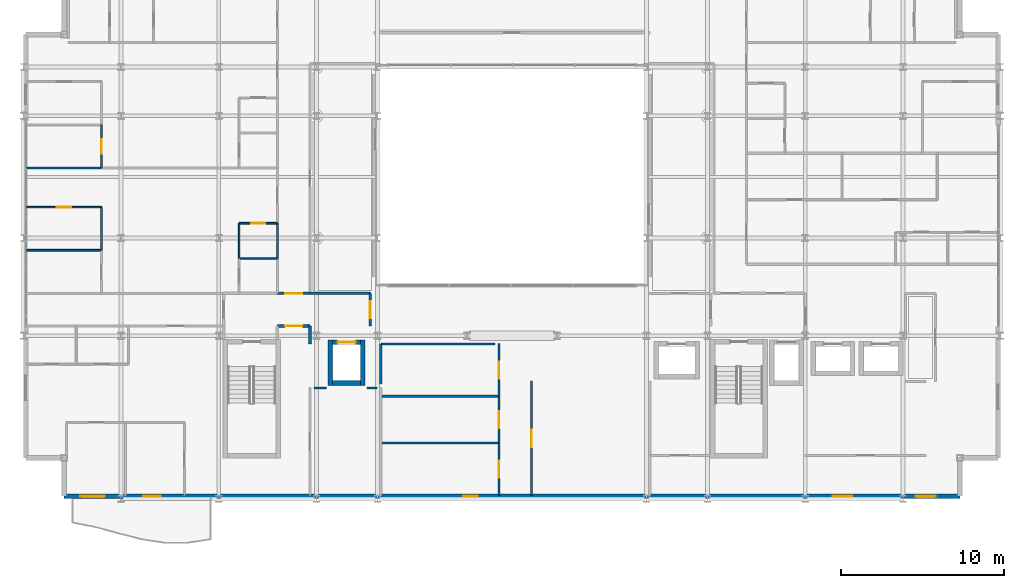
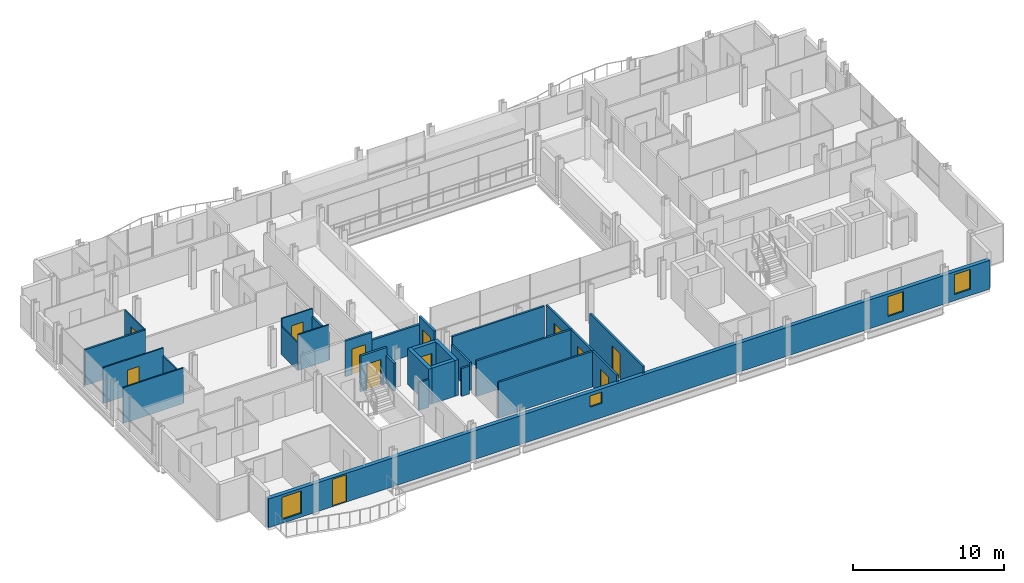
# One storey, part 34 of 41: 29 walls, 12 doors, 4 windows, 16 openings.
"""IFC4 building model written with IfcOpenShell, lengths in metres."""

from ifc_helpers import new_model, si_unit, direction, frame, frame_2d, origin, place, context, subcontext, project, spatial, rectangle, extrude, material, layer, layer_set, type_object, element, fill, save


model = new_model("IFC4")

# Units and contexts
model_context = context("Model", 3, precision=1e-05, world=origin(), true_north=direction((0.0, 1.0)))
body_context = subcontext(model_context, "Body", "Model", "MODEL_VIEW")
ifc_project = project(units=[si_unit("LENGTHUNIT", "METRE"), si_unit("AREAUNIT", "SQUARE_METRE"), si_unit("VOLUMEUNIT", "CUBIC_METRE"), si_unit("PLANEANGLEUNIT", "RADIAN"), si_unit("MASSUNIT", "GRAM", prefix="KILO")], contexts=[model_context])

# Site, building, storey
site_placement = place(None, origin())
site = spatial("IfcSite", under=ifc_project, at=site_placement, CompositionType="ELEMENT")
building_placement = place(site_placement, origin())
building = spatial("IfcBuilding", under=site, at=building_placement, Name="Brevholm Reach", CompositionType="ELEMENT")
storey_placement = place(building_placement, frame((0.0, 0.0, 138.699951171875)))
storey = spatial("IfcBuildingStorey", under=building, at=storey_placement, Name="L41", CompositionType="ELEMENT", Elevation=138.699951171875)

# Walls
ifc_material_1 = material(Name="Concrete C50/60", Category="concrete")
ifc_layer_1 = layer(ifc_material_1, 0.280029296875)
ifc_layer_set_1 = layer_set([ifc_layer_1], Name="Concrete C50/60")
wall_type_1 = type_object("IfcWallType", Name="WAL-COR-280", PredefinedType="SHEAR", material=ifc_layer_set_1)
for number, where, z_axis, x_axis, name in (
    (1, (18.85009765625, 6.9599609375, 0.0), (0.0, 0.0, 1.0), (0.0, 1.0, 0.0), "L41 Lift FFL-1 Shaft Wall W"),
    (2, (20.85009765625, 6.9599609375, 0.0), (0.0, 0.0, 1.0), (0.0, 1.0, 0.0), "L41 Lift FFL-1 Shaft Wall E"),
):
    element("IfcWall", number, at=place(storey_placement, frame(where, z_axis=z_axis, x_axis=x_axis)), inside=storey, type_object=wall_type_1, Name=name, PredefinedType="SHEAR", context=body_context, shape_type="SweptSolid", body=[
        extrude(rectangle(XDim=2.780029296875, YDim=0.280029296875, at=frame_2d((1.39013671875, 0.0))), origin(), (0.0, 0.0, 1.0), 2.880126953125),
    ])
wall_1_placement = place(storey_placement, frame((18.989990234375, 7.10009765625, 0.0), z_axis=(0.0, 0.0, 1.0), x_axis=(1.0, 0.0, 0.0)))
element("IfcWall", 3, at=wall_1_placement, inside=storey, type_object=wall_type_1, Name="L41 Lift FFL-1 Shaft Wall S", PredefinedType="SHEAR", context=body_context, shape_type="SweptSolid", body=[
    extrude(rectangle(XDim=1.719970703125, YDim=0.280029296875, at=frame_2d((0.85986328125, 0.0))), origin(), (0.0, 0.0, 1.0), 2.880126953125),
])

# Wall, opening, door
wall_2_placement = place(storey_placement, frame((18.989990234375, 9.60009765625, 0.0), z_axis=(0.0, 0.0, 1.0), x_axis=(1.0, 0.0, 0.0)))
wall_2 = element("IfcWall", 4, at=wall_2_placement, inside=storey, type_object=wall_type_1, Name="L41 Lift FFL-1 Shaft Wall N", PredefinedType="SHEAR", context=body_context, shape_type="SweptSolid", body=[
    extrude(rectangle(XDim=1.719970703125, YDim=0.280029296875, at=frame_2d((0.85986328125, 0.0))), origin(), (0.0, 0.0, 1.0), 2.880126953125),
])
opening_1_placement = place(wall_2_placement, frame((0.31005859375, 0.0, 0.0)))
opening_1 = element("IfcOpeningElement", 5, at=opening_1_placement, cuts=wall_2, Name="Opening LD-FFL-1", PredefinedType="OPENING", context=body_context, shape_type="SweptSolid", body=[
    extrude(rectangle(XDim=1.10009765625, YDim=2.06005859375, at=frame_2d((0.550048828125, 1.030029296875))), frame((0.0, 0.14990234375, 0.0), z_axis=(0.0, -1.0, 0.0), x_axis=(1.0, 0.0, 0.0)), (0.0, 0.0, 1.0), 0.300048828125),
])
ifc_material_2 = material(Name="Brushed Stainless Steel Fire-Rated Sliding Lift Door", Category="steel")
door_type_1 = type_object("IfcDoorType", Name="DOR-LFT-1100", OperationType="NOTDEFINED", PredefinedType="DOOR", material=ifc_material_2)
door_1_placement = place(opening_1_placement, origin())
door_1 = element("IfcDoor", 6, at=door_1_placement, inside=storey, type_object=door_type_1, Name="L41 Lift FFL-1 Sliding Landing Door", OperationType="SLIDING_TO_LEFT", OverallHeight=2.06005859375, OverallWidth=1.10009765625, PredefinedType="DOOR", context=body_context, shape_type="SweptSolid", body=[
    extrude(rectangle(XDim=1.10009765625, YDim=2.06005859375, at=frame_2d((0.550048828125, 1.030029296875))), frame((0.0, 0.02490234375, 0.0), z_axis=(0.0, -1.0, 0.0), x_axis=(1.0, 0.0, 0.0)), (0.0, 0.0, 1.0), 0.050048828125),
])
fill(opening_1, door_1)

# Wall, openings, door, windows
ifc_material_3 = material(Name="Concrete C40/50", Category="concrete")
ifc_layer_2 = layer(ifc_material_3, 0.300048828125)
ifc_layer_set_2 = layer_set([ifc_layer_2], Name="Concrete C40/50")
wall_type_2 = type_object("IfcWallType", Name="WAL-EXT-300", PredefinedType="STANDARD", material=ifc_layer_set_2)
wall_3_placement = place(storey_placement, frame((2.5, 0.14990234375, 0.0), z_axis=(0.0, 0.0, 1.0), x_axis=(1.0, 0.0, 0.0)))
wall_3 = element("IfcWall", 7, at=wall_3_placement, inside=storey, type_object=wall_type_2, Name="L41 Facade Wall WAL-L41-S", PredefinedType="STANDARD", context=body_context, shape_type="SweptSolid", body=[
    extrude(rectangle(XDim=55.0, YDim=0.300048828125, at=frame_2d((27.5, 0.0))), origin(), (0.0, 0.0, 1.0), 2.322021484375),
])
opening_2_placement = place(wall_3_placement, frame((4.85009765625, 0.0, 0.0)))
opening_2 = element("IfcOpeningElement", 8, at=opening_2_placement, cuts=wall_3, Name="Opening BD-01", PredefinedType="OPENING", context=body_context, shape_type="SweptSolid", body=[
    extrude(rectangle(XDim=1.10009765625, YDim=2.199951171875, at=frame_2d((0.550048828125, 1.10009765625))), frame((0.0, 0.159912109375, 0.0), z_axis=(0.0, -1.0, 0.0), x_axis=(1.0, 0.0, 0.0)), (0.0, 0.0, 1.0), 0.320068359375),
])
opening_3_placement = place(wall_3_placement, frame((1.0, 0.0, 0.302001953125)))
opening_3 = element("IfcOpeningElement", 9, at=opening_3_placement, cuts=wall_3, Name="Opening WN-05", PredefinedType="OPENING", context=body_context, shape_type="SweptSolid", body=[
    extrude(rectangle(XDim=1.5, YDim=1.800048828125, at=frame_2d((0.75, 0.89990234375))), frame((0.0, 0.159912109375, 0.0), z_axis=(0.0, -1.0, 0.0), x_axis=(1.0, 0.0, 0.0)), (0.0, 0.0, 1.0), 0.320068359375),
])
opening_4_placement = place(wall_3_placement, frame((24.5, 0.0, 1.14990234375)))
opening_4 = element("IfcOpeningElement", 10, at=opening_4_placement, cuts=wall_3, Name="Opening WN-09", PredefinedType="OPENING", context=body_context, shape_type="SweptSolid", body=[
    extrude(rectangle(XDim=0.89990234375, YDim=0.89990234375, at=frame_2d((0.449951171875, 0.449951171875))), frame((0.0, 0.159912109375, 0.0), z_axis=(0.0, -1.0, 0.0), x_axis=(1.0, 0.0, 0.0)), (0.0, 0.0, 1.0), 0.320068359375),
])
opening_5_placement = place(wall_3_placement, frame((47.199951171875, 0.0, 0.501953125)))
opening_5 = element("IfcOpeningElement", 11, at=opening_5_placement, cuts=wall_3, Name="Opening WN-08", PredefinedType="OPENING", context=body_context, shape_type="SweptSolid", body=[
    extrude(rectangle(XDim=1.199951171875, YDim=1.60009765625, at=frame_2d((0.60009765625, 0.800048828125))), frame((0.0, 0.159912109375, 0.0), z_axis=(0.0, -1.0, 0.0), x_axis=(1.0, 0.0, 0.0)), (0.0, 0.0, 1.0), 0.320068359375),
])
opening_6_placement = place(wall_3_placement, frame((52.300048828125, 0.0, 0.501953125)))
opening_6 = element("IfcOpeningElement", 12, at=opening_6_placement, cuts=wall_3, Name="Opening WN-08", PredefinedType="OPENING", context=body_context, shape_type="SweptSolid", body=[
    extrude(rectangle(XDim=1.199951171875, YDim=1.60009765625, at=frame_2d((0.60009765625, 0.800048828125))), frame((0.0, 0.159912109375, 0.0), z_axis=(0.0, -1.0, 0.0), x_axis=(1.0, 0.0, 0.0)), (0.0, 0.0, 1.0), 0.320068359375),
])
ifc_material_4 = material(Name="Dark Anodised Aluminium and Triple-Glazed Glass", Category="aluminium")
door_type_2 = type_object("IfcDoorType", Name="DOR-BALC-1100", OperationType="NOTDEFINED", PredefinedType="DOOR", material=ifc_material_4)
door_2_placement = place(opening_2_placement, origin())
door_2 = element("IfcDoor", 13, at=door_2_placement, inside=storey, type_object=door_type_2, Name="L41 Exterior Door DOR-L41-BL-SW", OperationType="SINGLE_SWING_LEFT", OverallHeight=2.199951171875, OverallWidth=1.10009765625, PredefinedType="DOOR", context=body_context, shape_type="SweptSolid", body=[
    extrude(rectangle(XDim=1.10009765625, YDim=2.199951171875, at=frame_2d((0.550048828125, 1.10009765625))), frame((0.0, 0.02490234375, 0.0), z_axis=(0.0, -1.0, 0.0), x_axis=(1.0, 0.0, 0.0)), (0.0, 0.0, 1.0), 0.050048828125),
])
fill(opening_2, door_2)
ifc_material_5 = material(Name="Dark Anodised Aluminium and Solar-Control IGU Glass", Category="aluminium")
window_type_1 = type_object("IfcWindowType", Name="WIN-POR-0900", PartitioningType="SINGLE_PANEL", PredefinedType="WINDOW", material=ifc_material_5)
window_1_placement = place(opening_4_placement, origin())
window_1 = element("IfcWindow", 14, at=window_1_placement, inside=storey, type_object=window_type_1, Name="L41 Window WIN-L41-S-POR", OverallHeight=0.89990234375, OverallWidth=0.89990234375, PartitioningType="SINGLE_PANEL", PredefinedType="WINDOW", context=body_context, shape_type="SweptSolid", body=[
    extrude(rectangle(XDim=0.89990234375, YDim=0.89990234375, at=frame_2d((0.449951171875, 0.449951171875))), frame((0.0, 0.030029296875, 0.0), z_axis=(0.0, -1.0, 0.0), x_axis=(1.0, 0.0, 0.0)), (0.0, 0.0, 1.0), 0.06005859375),
])
fill(opening_4, window_1)
ifc_material_6 = material(Name="Dark Anodised Aluminium and Solar-Control IGU Glass", Category="aluminium")
window_type_2 = type_object("IfcWindowType", Name="WIN-RES-1200", PartitioningType="SINGLE_PANEL", PredefinedType="WINDOW", material=ifc_material_6)
window_2_placement = place(opening_5_placement, origin())
window_2 = element("IfcWindow", 15, at=window_2_placement, inside=storey, type_object=window_type_2, Name="L41 Window WIN-L41-S-E1", OverallHeight=1.60009765625, OverallWidth=1.199951171875, PartitioningType="SINGLE_PANEL", PredefinedType="WINDOW", context=body_context, shape_type="SweptSolid", body=[
    extrude(rectangle(XDim=1.199951171875, YDim=1.60009765625, at=frame_2d((0.60009765625, 0.800048828125))), frame((0.0, 0.030029296875, 0.0), z_axis=(0.0, -1.0, 0.0), x_axis=(1.0, 0.0, 0.0)), (0.0, 0.0, 1.0), 0.06005859375),
])
fill(opening_5, window_2)
window_3_placement = place(opening_6_placement, origin())
window_3 = element("IfcWindow", 16, at=window_3_placement, inside=storey, type_object=window_type_2, Name="L41 Window WIN-L41-S-E2", OverallHeight=1.60009765625, OverallWidth=1.199951171875, PartitioningType="SINGLE_PANEL", PredefinedType="WINDOW", context=body_context, shape_type="SweptSolid", body=[
    extrude(rectangle(XDim=1.199951171875, YDim=1.60009765625, at=frame_2d((0.60009765625, 0.800048828125))), frame((0.0, 0.030029296875, 0.0), z_axis=(0.0, -1.0, 0.0), x_axis=(1.0, 0.0, 0.0)), (0.0, 0.0, 1.0), 0.06005859375),
])
fill(opening_6, window_3)
ifc_material_7 = material(Name="Dark Anodised Aluminium and Solar-Control IGU Glass", Category="aluminium")
window_type_3 = type_object("IfcWindowType", Name="WIN-RES-1500", PartitioningType="SINGLE_PANEL", PredefinedType="WINDOW", material=ifc_material_7)
window_4_placement = place(opening_3_placement, origin())
window_4 = element("IfcWindow", 17, at=window_4_placement, inside=storey, type_object=window_type_3, Name="L41 Window WIN-L41-S-W1", OverallHeight=1.800048828125, OverallWidth=1.5, PartitioningType="SINGLE_PANEL", PredefinedType="WINDOW", context=body_context, shape_type="SweptSolid", body=[
    extrude(rectangle(XDim=1.5, YDim=1.800048828125, at=frame_2d((0.75, 0.89990234375))), frame((0.0, 0.030029296875, 0.0), z_axis=(0.0, -1.0, 0.0), x_axis=(1.0, 0.0, 0.0)), (0.0, 0.0, 1.0), 0.06005859375),
])
fill(opening_3, window_4)

# Wall
ifc_material_8 = material(Name="Moisture-Resistant Acoustic Gypsum Stud Partition 100 mm", Category="gypsum")
ifc_layer_3 = layer(ifc_material_8, 0.10009765625)
ifc_layer_set_3 = layer_set([ifc_layer_3], Name="Moisture-Resistant Acoustic Gypsum Stud Partition 100 mm")
wall_type_3 = type_object("IfcWallType", Name="WAL-PRT-100", PredefinedType="PARTITIONING", material=ifc_layer_set_3)
wall_4_placement = place(storey_placement, frame((13.25, 14.75, 0.0), z_axis=(0.0, 0.0, 1.0), x_axis=(1.0, 0.0, 0.0)))
element("IfcWall", 18, at=wall_4_placement, inside=storey, type_object=wall_type_3, Name="L41 Internal Partition 069", PredefinedType="PARTITIONING", context=body_context, shape_type="SweptSolid", body=[
    extrude(rectangle(XDim=2.345947265625, YDim=0.10009765625, at=frame_2d((1.1728515625, 0.0))), origin(), (0.0, 0.0, 1.0), 2.880126953125),
])

# Wall, opening, door
wall_5_placement = place(storey_placement, frame((13.25, 16.906005859375, 0.0), z_axis=(0.0, 0.0, 1.0), x_axis=(1.0, 0.0, 0.0)))
wall_5 = element("IfcWall", 19, at=wall_5_placement, inside=storey, type_object=wall_type_3, Name="L41 Internal Partition 071", PredefinedType="PARTITIONING", context=body_context, shape_type="SweptSolid", body=[
    extrude(rectangle(XDim=2.345947265625, YDim=0.10009765625, at=frame_2d((1.1728515625, 0.0))), origin(), (0.0, 0.0, 1.0), 2.880126953125),
])
opening_7_placement = place(wall_5_placement, frame((0.73291015625, 0.0, 0.0)))
opening_7 = element("IfcOpeningElement", 20, at=opening_7_placement, cuts=wall_5, Name="Opening ID-01", PredefinedType="OPENING", context=body_context, shape_type="SweptSolid", body=[
    extrude(rectangle(XDim=0.8798828125, YDim=2.0400390625, at=frame_2d((0.43994140625, 1.02001953125))), frame((0.0, 0.06005859375, 0.0), z_axis=(0.0, -1.0, 0.0), x_axis=(1.0, 0.0, 0.0)), (0.0, 0.0, 1.0), 0.1201171875),
])
ifc_material_9 = material(Name="Lacquered Ash Solid-Core Acoustic Internal Door", Category="timber")
door_type_3 = type_object("IfcDoorType", Name="DOR-INT-880", OperationType="NOTDEFINED", PredefinedType="DOOR", material=ifc_material_9)
door_3_placement = place(opening_7_placement, origin())
door_3 = element("IfcDoor", 21, at=door_3_placement, inside=storey, type_object=door_type_3, Name="L41 Internal Door 032", OperationType="SINGLE_SWING_LEFT", OverallHeight=2.0400390625, OverallWidth=0.8798828125, PredefinedType="DOOR", context=body_context, shape_type="SweptSolid", body=[
    extrude(rectangle(XDim=0.8798828125, YDim=2.0400390625, at=frame_2d((0.43994140625, 1.02001953125))), frame((0.0, 0.02490234375, 0.0), z_axis=(0.0, -1.0, 0.0), x_axis=(1.0, 0.0, 0.0)), (0.0, 0.0, 1.0), 0.050048828125),
])
fill(opening_7, door_3)

# Walls
wall_6_placement = place(storey_placement, frame((13.25, 14.75390625, 0.0), z_axis=(0.0, 0.0, 1.0), x_axis=(0.0, 1.0, 0.0)))
element("IfcWall", 22, at=wall_6_placement, inside=storey, type_object=wall_type_3, Name="L41 Internal Partition 072", PredefinedType="PARTITIONING", context=body_context, shape_type="SweptSolid", body=[
    extrude(rectangle(XDim=2.152099609375, YDim=0.10009765625, at=frame_2d((1.076171875, 0.0))), origin(), (0.0, 0.0, 1.0), 2.242919921875),
])
wall_7_placement = place(storey_placement, frame((0.199951171875, 15.25, 0.0), z_axis=(0.0, 0.0, 1.0), x_axis=(1.0, 0.0, 0.0)))
element("IfcWall", 23, at=wall_7_placement, inside=storey, type_object=wall_type_3, Name="L41 Internal Partition 073", PredefinedType="PARTITIONING", context=body_context, shape_type="SweptSolid", body=[
    extrude(rectangle(XDim=4.60009765625, YDim=0.10009765625, at=frame_2d((2.300048828125, 0.0))), origin(), (0.0, 0.0, 1.0), 2.880126953125),
])
wall_8_placement = place(storey_placement, frame((4.800048828125, 15.25390625, 0.0), z_axis=(0.0, 0.0, 1.0), x_axis=(0.0, 1.0, 0.0)))
element("IfcWall", 24, at=wall_8_placement, inside=storey, type_object=wall_type_3, Name="L41 Internal Partition 075", PredefinedType="PARTITIONING", context=body_context, shape_type="SweptSolid", body=[
    extrude(rectangle(XDim=2.64599609375, YDim=0.10009765625, at=frame_2d((1.322998046875, 0.0))), origin(), (0.0, 0.0, 1.0), 2.242919921875),
])

# Wall, opening, door
wall_9_placement = place(storey_placement, frame((0.199951171875, 17.89990234375, 0.0), z_axis=(0.0, 0.0, 1.0), x_axis=(1.0, 0.0, 0.0)))
wall_9 = element("IfcWall", 25, at=wall_9_placement, inside=storey, type_object=wall_type_3, Name="L41 Internal Partition 076", PredefinedType="PARTITIONING", context=body_context, shape_type="SweptSolid", body=[
    extrude(rectangle(XDim=4.60009765625, YDim=0.10009765625, at=frame_2d((2.300048828125, 0.0))), origin(), (0.0, 0.0, 1.0), 2.880126953125),
])
opening_8_placement = place(wall_9_placement, frame((1.860107421875, 0.0, 0.0)))
opening_8 = element("IfcOpeningElement", 26, at=opening_8_placement, cuts=wall_9, Name="Opening ID-01", PredefinedType="OPENING", context=body_context, shape_type="SweptSolid", body=[
    extrude(rectangle(XDim=0.8798828125, YDim=2.0400390625, at=frame_2d((0.43994140625, 1.02001953125))), frame((0.0, 0.06005859375, 0.0), z_axis=(0.0, -1.0, 0.0), x_axis=(1.0, 0.0, 0.0)), (0.0, 0.0, 1.0), 0.1201171875),
])
door_4_placement = place(opening_8_placement, origin())
door_4 = element("IfcDoor", 27, at=door_4_placement, inside=storey, type_object=door_type_3, Name="L41 Internal Door 034", OperationType="SINGLE_SWING_LEFT", OverallHeight=2.0400390625, OverallWidth=0.8798828125, PredefinedType="DOOR", context=body_context, shape_type="SweptSolid", body=[
    extrude(rectangle(XDim=0.8798828125, YDim=2.0400390625, at=frame_2d((0.43994140625, 1.02001953125))), frame((0.0, 0.02490234375, 0.0), z_axis=(0.0, -1.0, 0.0), x_axis=(1.0, 0.0, 0.0)), (0.0, 0.0, 1.0), 0.050048828125),
])
fill(opening_8, door_4)

wall_10_placement = place(storey_placement, frame((4.800048828125, 20.303955078125, 0.0), z_axis=(0.0, 0.0, 1.0), x_axis=(0.0, 1.0, 0.0)))
wall_10 = element("IfcWall", 28, at=wall_10_placement, inside=storey, type_object=wall_type_3, Name="L41 Internal Partition 085", PredefinedType="PARTITIONING", context=body_context, shape_type="SweptSolid", body=[
    extrude(rectangle(XDim=2.64599609375, YDim=0.10009765625, at=frame_2d((1.322998046875, 0.0))), origin(), (0.0, 0.0, 1.0), 2.880126953125),
])
opening_9_placement = place(wall_10_placement, frame((0.883056640625, 0.0, 0.0)))
opening_9 = element("IfcOpeningElement", 29, at=opening_9_placement, cuts=wall_10, Name="Opening ID-01", PredefinedType="OPENING", context=body_context, shape_type="SweptSolid", body=[
    extrude(rectangle(XDim=0.8798828125, YDim=2.0400390625, at=frame_2d((0.43994140625, 1.02001953125))), frame((0.0, 0.06005859375, 0.0), z_axis=(0.0, -1.0, 0.0), x_axis=(1.0, 0.0, 0.0)), (0.0, 0.0, 1.0), 0.1201171875),
])
door_5_placement = place(opening_9_placement, origin())
door_5 = element("IfcDoor", 30, at=door_5_placement, inside=storey, type_object=door_type_3, Name="L41 Internal Door 037", OperationType="SINGLE_SWING_RIGHT", OverallHeight=2.0400390625, OverallWidth=0.8798828125, PredefinedType="DOOR", context=body_context, shape_type="SweptSolid", body=[
    extrude(rectangle(XDim=0.8798828125, YDim=2.0400390625, at=frame_2d((0.43994140625, 1.02001953125))), frame((0.0, 0.02490234375, 0.0), z_axis=(0.0, -1.0, 0.0), x_axis=(1.0, 0.0, 0.0)), (0.0, 0.0, 1.0), 0.050048828125),
])
fill(opening_9, door_5)

ifc_material_10 = material(Name="Twin-Stud Acoustic Fire-Rated Gypsum Partition 140 mm", Category="gypsum")
ifc_layer_4 = layer(ifc_material_10, 0.139892578125)
ifc_layer_set_4 = layer_set([ifc_layer_4], Name="Twin-Stud Acoustic Fire-Rated Gypsum Partition 140 mm")
wall_type_4 = type_object("IfcWallType", Name="WAL-PRT-140", PredefinedType="PARTITIONING", material=ifc_layer_set_4)
wall_11_placement = place(storey_placement, frame((29.199951171875, 0.179931640625, 0.0), z_axis=(0.0, 0.0, 1.0), x_axis=(0.0, 1.0, 0.0)))
wall_11 = element("IfcWall", 31, at=wall_11_placement, inside=storey, type_object=wall_type_4, Name="L41 Internal Partition 001", PredefinedType="PARTITIONING", context=body_context, shape_type="SweptSolid", body=[
    extrude(rectangle(XDim=3.247314453125, YDim=0.139892578125, at=frame_2d((1.62353515625, 0.0))), origin(), (0.0, 0.0, 1.0), 2.880126953125),
])
opening_10_placement = place(wall_11_placement, frame((1.0986328125, 0.0, 0.0)))
opening_10 = element("IfcOpeningElement", 32, at=opening_10_placement, cuts=wall_11, Name="Opening FD-01", PredefinedType="OPENING", context=body_context, shape_type="SweptSolid", body=[
    extrude(rectangle(XDim=1.050048828125, YDim=2.06005859375, at=frame_2d((0.52490234375, 1.030029296875))), frame((0.0, 0.079833984375, 0.0), z_axis=(0.0, -1.0, 0.0), x_axis=(1.0, 0.0, 0.0)), (0.0, 0.0, 1.0), 0.159912109375),
])
ifc_material_11 = material(Name="Hardwood-Lipped Steel-Core Fire and Smoke Door", Category="steel")
door_type_4 = type_object("IfcDoorType", Name="DOR-INT-FD60S", OperationType="NOTDEFINED", PredefinedType="DOOR", material=ifc_material_11)
door_6_placement = place(opening_10_placement, origin())
door_6 = element("IfcDoor", 33, at=door_6_placement, inside=storey, type_object=door_type_4, Name="L41 Internal Door 001", OperationType="SINGLE_SWING_RIGHT", OverallHeight=2.06005859375, OverallWidth=1.050048828125, PredefinedType="DOOR", context=body_context, shape_type="SweptSolid", body=[
    extrude(rectangle(XDim=1.050048828125, YDim=2.06005859375, at=frame_2d((0.52490234375, 1.030029296875))), frame((0.0, 0.02490234375, 0.0), z_axis=(0.0, -1.0, 0.0), x_axis=(1.0, 0.0, 0.0)), (0.0, 0.0, 1.0), 0.050048828125),
])
fill(opening_10, door_6)

wall_12_placement = place(storey_placement, frame((29.199951171875, 3.40869140625, 0.0), z_axis=(0.0, 0.0, 1.0), x_axis=(0.0, 1.0, 0.0)))
wall_12 = element("IfcWall", 34, at=wall_12_placement, inside=storey, type_object=wall_type_4, Name="L41 Internal Partition 002", PredefinedType="PARTITIONING", context=body_context, shape_type="SweptSolid", body=[
    extrude(rectangle(XDim=2.885498046875, YDim=0.139892578125, at=frame_2d((1.44287109375, 0.0))), origin(), (0.0, 0.0, 1.0), 2.880126953125),
])
opening_11_placement = place(wall_12_placement, frame((0.917724609375, 0.0, 0.0)))
opening_11 = element("IfcOpeningElement", 35, at=opening_11_placement, cuts=wall_12, Name="Opening FD-01", PredefinedType="OPENING", context=body_context, shape_type="SweptSolid", body=[
    extrude(rectangle(XDim=1.050048828125, YDim=2.06005859375, at=frame_2d((0.52490234375, 1.030029296875))), frame((0.0, 0.079833984375, 0.0), z_axis=(0.0, -1.0, 0.0), x_axis=(1.0, 0.0, 0.0)), (0.0, 0.0, 1.0), 0.159912109375),
])
door_7_placement = place(opening_11_placement, origin())
door_7 = element("IfcDoor", 36, at=door_7_placement, inside=storey, type_object=door_type_4, Name="L41 Internal Door 002", OperationType="SINGLE_SWING_LEFT", OverallHeight=2.06005859375, OverallWidth=1.050048828125, PredefinedType="DOOR", context=body_context, shape_type="SweptSolid", body=[
    extrude(rectangle(XDim=1.050048828125, YDim=2.06005859375, at=frame_2d((0.52490234375, 1.030029296875))), frame((0.0, 0.02490234375, 0.0), z_axis=(0.0, -1.0, 0.0), x_axis=(1.0, 0.0, 0.0)), (0.0, 0.0, 1.0), 0.050048828125),
])
fill(opening_11, door_7)

wall_13_placement = place(storey_placement, frame((29.199951171875, 6.275634765625, 0.0), z_axis=(0.0, 0.0, 1.0), x_axis=(0.0, 1.0, 0.0)))
wall_13 = element("IfcWall", 37, at=wall_13_placement, inside=storey, type_object=wall_type_4, Name="L41 Internal Partition 003", PredefinedType="PARTITIONING", context=body_context, shape_type="SweptSolid", body=[
    extrude(rectangle(XDim=3.235595703125, YDim=0.139892578125, at=frame_2d((1.61767578125, 0.0))), origin(), (0.0, 0.0, 1.0), 2.880126953125),
])
opening_12_placement = place(wall_13_placement, frame((1.0927734375, 0.0, 0.0)))
opening_12 = element("IfcOpeningElement", 38, at=opening_12_placement, cuts=wall_13, Name="Opening FD-01", PredefinedType="OPENING", context=body_context, shape_type="SweptSolid", body=[
    extrude(rectangle(XDim=1.050048828125, YDim=2.06005859375, at=frame_2d((0.52490234375, 1.030029296875))), frame((0.0, 0.079833984375, 0.0), z_axis=(0.0, -1.0, 0.0), x_axis=(1.0, 0.0, 0.0)), (0.0, 0.0, 1.0), 0.159912109375),
])
door_8_placement = place(opening_12_placement, origin())
door_8 = element("IfcDoor", 39, at=door_8_placement, inside=storey, type_object=door_type_4, Name="L41 Internal Door 003", OperationType="SINGLE_SWING_RIGHT", OverallHeight=2.06005859375, OverallWidth=1.050048828125, PredefinedType="DOOR", context=body_context, shape_type="SweptSolid", body=[
    extrude(rectangle(XDim=1.050048828125, YDim=2.06005859375, at=frame_2d((0.52490234375, 1.030029296875))), frame((0.0, 0.02490234375, 0.0), z_axis=(0.0, -1.0, 0.0), x_axis=(1.0, 0.0, 0.0)), (0.0, 0.0, 1.0), 0.050048828125),
])
fill(opening_12, door_8)

wall_14_placement = place(storey_placement, frame((31.199951171875, 0.179931640625, 0.0), z_axis=(0.0, 0.0, 1.0), x_axis=(0.0, 1.0, 0.0)))
wall_14 = element("IfcWall", 40, at=wall_14_placement, inside=storey, type_object=wall_type_4, Name="L41 Internal Partition 004", PredefinedType="PARTITIONING", context=body_context, shape_type="SweptSolid", body=[
    extrude(rectangle(XDim=7.03125, YDim=0.139892578125, at=frame_2d((3.515625, 0.0))), origin(), (0.0, 0.0, 1.0), 2.880126953125),
])
opening_13_placement = place(wall_14_placement, frame((2.99072265625, 0.0, 0.0)))
opening_13 = element("IfcOpeningElement", 41, at=opening_13_placement, cuts=wall_14, Name="Opening FD-01", PredefinedType="OPENING", context=body_context, shape_type="SweptSolid", body=[
    extrude(rectangle(XDim=1.050048828125, YDim=2.06005859375, at=frame_2d((0.52490234375, 1.030029296875))), frame((0.0, 0.079833984375, 0.0), z_axis=(0.0, -1.0, 0.0), x_axis=(1.0, 0.0, 0.0)), (0.0, 0.0, 1.0), 0.159912109375),
])
door_9_placement = place(opening_13_placement, origin())
door_9 = element("IfcDoor", 42, at=door_9_placement, inside=storey, type_object=door_type_4, Name="L41 Internal Door 004", OperationType="SINGLE_SWING_LEFT", OverallHeight=2.06005859375, OverallWidth=1.050048828125, PredefinedType="DOOR", context=body_context, shape_type="SweptSolid", body=[
    extrude(rectangle(XDim=1.050048828125, YDim=2.06005859375, at=frame_2d((0.52490234375, 1.030029296875))), frame((0.0, 0.02490234375, 0.0), z_axis=(0.0, -1.0, 0.0), x_axis=(1.0, 0.0, 0.0)), (0.0, 0.0, 1.0), 0.050048828125),
])
fill(opening_13, door_9)

# Walls
for number, where, z_axis, x_axis, name in (
    (43, (21.949951171875, 3.416015625, 0.0), (0.0, 0.0, 1.0), (1.0, 0.0, 0.0), "L41 Internal Partition 005"),
    (44, (21.949951171875, 6.282958984375, 0.0), (0.0, 0.0, 1.0), (1.0, 0.0, 0.0), "L41 Internal Partition 007"),
):
    element("IfcWall", number, at=place(storey_placement, frame(where, z_axis=z_axis, x_axis=x_axis)), inside=storey, type_object=wall_type_4, Name=name, PredefinedType="PARTITIONING", context=body_context, shape_type="SweptSolid", body=[
        extrude(rectangle(XDim=7.24609375, YDim=0.139892578125, at=frame_2d((3.623046875, 0.0))), origin(), (0.0, 0.0, 1.0), 2.880126953125),
    ])
wall_15_placement = place(storey_placement, frame((15.60009765625, 14.74267578125, 0.0), z_axis=(0.0, 0.0, 1.0), x_axis=(0.0, 1.0, 0.0)))
element("IfcWall", 45, at=wall_15_placement, inside=storey, type_object=wall_type_4, Name="L41 Internal Partition 035", PredefinedType="PARTITIONING", context=body_context, shape_type="SweptSolid", body=[
    extrude(rectangle(XDim=2.174560546875, YDim=0.139892578125, at=frame_2d((1.08740234375, 0.0))), origin(), (0.0, 0.0, 1.0), 2.242919921875),
])
wall_16_placement = place(storey_placement, frame((0.199951171875, 20.300048828125, 0.0), z_axis=(0.0, 0.0, 1.0), x_axis=(1.0, 0.0, 0.0)))
element("IfcWall", 46, at=wall_16_placement, inside=storey, type_object=wall_type_4, Name="L41 Internal Partition 078", PredefinedType="PARTITIONING", context=body_context, shape_type="SweptSolid", body=[
    extrude(rectangle(XDim=4.611328125, YDim=0.139892578125, at=frame_2d((2.3056640625, 0.0))), origin(), (0.0, 0.0, 1.0), 2.880126953125),
])
wall_17_placement = place(storey_placement, frame((21.949951171875, 9.5, 0.0), z_axis=(0.0, 0.0, 1.0), x_axis=(1.0, 0.0, 0.0)))
element("IfcWall", 47, at=wall_17_placement, inside=storey, type_object=wall_type_4, Name="L41 Internal Partition 117", PredefinedType="PARTITIONING", context=body_context, shape_type="SweptSolid", body=[
    extrude(rectangle(XDim=7.010009765625, YDim=0.139892578125, at=frame_2d((3.5048828125, 0.0))), origin(), (0.0, 0.0, 1.0), 2.880126953125),
])
wall_18_placement = place(storey_placement, frame((21.949951171875, 7.05126953125, 0.0), z_axis=(0.0, 0.0, 1.0), x_axis=(0.0, 1.0, 0.0)))
element("IfcWall", 48, at=wall_18_placement, inside=storey, type_object=wall_type_4, Name="L41 Internal Partition 118", PredefinedType="PARTITIONING", context=body_context, shape_type="SweptSolid", body=[
    extrude(rectangle(XDim=2.44873046875, YDim=0.139892578125, at=frame_2d((1.224365234375, 0.0))), origin(), (0.0, 0.0, 1.0), 2.242919921875),
])
wall_19_placement = place(storey_placement, frame((21.101806640625, 6.800048828125, 0.0), z_axis=(0.0, 0.0, 1.0), x_axis=(1.0, 0.0, 0.0)))
element("IfcWall", 49, at=wall_19_placement, inside=storey, type_object=wall_type_4, Name="L41 Internal Partition 119", PredefinedType="PARTITIONING", context=body_context, shape_type="SweptSolid", body=[
    extrude(rectangle(XDim=0.608154296875, YDim=0.139892578125, at=frame_2d((0.30419921875, 0.0))), origin(), (0.0, 0.0, 1.0), 2.242919921875),
])
wall_20_placement = place(storey_placement, frame((17.840087890625, 6.800048828125, 0.0), z_axis=(0.0, 0.0, 1.0), x_axis=(1.0, 0.0, 0.0)))
element("IfcWall", 50, at=wall_20_placement, inside=storey, type_object=wall_type_4, Name="L41 Internal Partition 120", PredefinedType="PARTITIONING", context=body_context, shape_type="SweptSolid", body=[
    extrude(rectangle(XDim=0.758056640625, YDim=0.139892578125, at=frame_2d((0.37890625, 0.0))), origin(), (0.0, 0.0, 1.0), 2.242919921875),
])
ifc_material_12 = material(Name="Twin-Frame Fire-Rated Gypsum Board and Mineral Wool 160 mm", Category="gypsum")
ifc_layer_5 = layer(ifc_material_12, 0.159912109375)
ifc_layer_set_5 = layer_set([ifc_layer_5], Name="Twin-Frame Fire-Rated Gypsum Board and Mineral Wool 160 mm")
wall_type_5 = type_object("IfcWallType", Name="WAL-PRT-160", PredefinedType="PARTITIONING", material=ifc_layer_set_5)
wall_21_placement = place(storey_placement, frame((17.60009765625, 9.48876953125, 0.0), z_axis=(0.0, 0.0, 1.0), x_axis=(0.0, 1.0, 0.0)))
element("IfcWall", 51, at=wall_21_placement, inside=storey, type_object=wall_type_5, Name="L41 Internal Partition 017", PredefinedType="PARTITIONING", context=body_context, shape_type="SweptSolid", body=[
    extrude(rectangle(XDim=1.111328125, YDim=0.159912109375, at=frame_2d((0.5556640625, 0.0))), origin(), (0.0, 0.0, 1.0), 2.242919921875),
])

# Wall, opening, door
wall_22_placement = place(storey_placement, frame((15.60009765625, 10.60009765625, 0.0), z_axis=(0.0, 0.0, 1.0), x_axis=(1.0, 0.0, 0.0)))
wall_22 = element("IfcWall", 52, at=wall_22_placement, inside=storey, type_object=wall_type_5, Name="L41 Internal Partition 018", PredefinedType="PARTITIONING", context=body_context, shape_type="SweptSolid", body=[
    extrude(rectangle(XDim=2.0, YDim=0.159912109375, at=frame_2d((1.0, 0.0))), origin(), (0.0, 0.0, 1.0), 2.880126953125),
])
opening_14_placement = place(wall_22_placement, frame((0.47509765625, 0.0, 0.0)))
opening_14 = element("IfcOpeningElement", 53, at=opening_14_placement, cuts=wall_22, Name="Opening FD-01", PredefinedType="OPENING", context=body_context, shape_type="SweptSolid", body=[
    extrude(rectangle(XDim=1.050048828125, YDim=2.06005859375, at=frame_2d((0.52490234375, 1.030029296875))), frame((0.0, 0.08984375, 0.0), z_axis=(0.0, -1.0, 0.0), x_axis=(1.0, 0.0, 0.0)), (0.0, 0.0, 1.0), 0.179931640625),
])
door_10_placement = place(opening_14_placement, origin())
door_10 = element("IfcDoor", 54, at=door_10_placement, inside=storey, type_object=door_type_4, Name="L41 Internal Door 009", OperationType="SINGLE_SWING_RIGHT", OverallHeight=2.06005859375, OverallWidth=1.050048828125, PredefinedType="DOOR", context=body_context, shape_type="SweptSolid", body=[
    extrude(rectangle(XDim=1.050048828125, YDim=2.06005859375, at=frame_2d((0.52490234375, 1.030029296875))), frame((0.0, 0.02490234375, 0.0), z_axis=(0.0, -1.0, 0.0), x_axis=(1.0, 0.0, 0.0)), (0.0, 0.0, 1.0), 0.050048828125),
])
fill(opening_14, door_10)

wall_23_placement = place(storey_placement, frame((21.300048828125, 10.588623046875, 0.0), z_axis=(0.0, 0.0, 1.0), x_axis=(0.0, 1.0, 0.0)))
wall_23 = element("IfcWall", 55, at=wall_23_placement, inside=storey, type_object=wall_type_5, Name="L41 Internal Partition 020", PredefinedType="PARTITIONING", context=body_context, shape_type="SweptSolid", body=[
    extrude(rectangle(XDim=2.011474609375, YDim=0.159912109375, at=frame_2d((1.005859375, 0.0))), origin(), (0.0, 0.0, 1.0), 2.880126953125),
])
opening_15_placement = place(wall_23_placement, frame((0.480712890625, 0.0, 0.0)))
opening_15 = element("IfcOpeningElement", 56, at=opening_15_placement, cuts=wall_23, Name="Opening FD-01", PredefinedType="OPENING", context=body_context, shape_type="SweptSolid", body=[
    extrude(rectangle(XDim=1.050048828125, YDim=2.06005859375, at=frame_2d((0.52490234375, 1.030029296875))), frame((0.0, 0.08984375, 0.0), z_axis=(0.0, -1.0, 0.0), x_axis=(1.0, 0.0, 0.0)), (0.0, 0.0, 1.0), 0.179931640625),
])
door_11_placement = place(opening_15_placement, origin())
door_11 = element("IfcDoor", 57, at=door_11_placement, inside=storey, type_object=door_type_4, Name="L41 Internal Door 010", OperationType="SINGLE_SWING_LEFT", OverallHeight=2.06005859375, OverallWidth=1.050048828125, PredefinedType="DOOR", context=body_context, shape_type="SweptSolid", body=[
    extrude(rectangle(XDim=1.050048828125, YDim=2.06005859375, at=frame_2d((0.52490234375, 1.030029296875))), frame((0.0, 0.02490234375, 0.0), z_axis=(0.0, -1.0, 0.0), x_axis=(1.0, 0.0, 0.0)), (0.0, 0.0, 1.0), 0.050048828125),
])
fill(opening_15, door_11)

wall_24_placement = place(storey_placement, frame((15.588623046875, 12.60009765625, 0.0), z_axis=(0.0, 0.0, 1.0), x_axis=(1.0, 0.0, 0.0)))
wall_24 = element("IfcWall", 58, at=wall_24_placement, inside=storey, type_object=wall_type_5, Name="L41 Internal Partition 021", PredefinedType="PARTITIONING", context=body_context, shape_type="SweptSolid", body=[
    extrude(rectangle(XDim=2.022705078125, YDim=0.159912109375, at=frame_2d((1.01123046875, 0.0))), origin(), (0.0, 0.0, 1.0), 2.880126953125),
])
opening_16_placement = place(wall_24_placement, frame((0.486328125, 0.0, 0.0)))
opening_16 = element("IfcOpeningElement", 59, at=opening_16_placement, cuts=wall_24, Name="Opening FD-01", PredefinedType="OPENING", context=body_context, shape_type="SweptSolid", body=[
    extrude(rectangle(XDim=1.050048828125, YDim=2.06005859375, at=frame_2d((0.52490234375, 1.030029296875))), frame((0.0, 0.08984375, 0.0), z_axis=(0.0, -1.0, 0.0), x_axis=(1.0, 0.0, 0.0)), (0.0, 0.0, 1.0), 0.179931640625),
])
door_12_placement = place(opening_16_placement, origin())
door_12 = element("IfcDoor", 60, at=door_12_placement, inside=storey, type_object=door_type_4, Name="L41 Internal Door 011", OperationType="SINGLE_SWING_RIGHT", OverallHeight=2.06005859375, OverallWidth=1.050048828125, PredefinedType="DOOR", context=body_context, shape_type="SweptSolid", body=[
    extrude(rectangle(XDim=1.050048828125, YDim=2.06005859375, at=frame_2d((0.52490234375, 1.030029296875))), frame((0.0, 0.02490234375, 0.0), z_axis=(0.0, -1.0, 0.0), x_axis=(1.0, 0.0, 0.0)), (0.0, 0.0, 1.0), 0.050048828125),
])
fill(opening_16, door_12)

# Wall
wall_25_placement = place(storey_placement, frame((17.5927734375, 12.60009765625, 0.0), z_axis=(0.0, 0.0, 1.0), x_axis=(1.0, 0.0, 0.0)))
element("IfcWall", 61, at=wall_25_placement, inside=storey, type_object=wall_type_5, Name="L41 Internal Partition 026", PredefinedType="PARTITIONING", context=body_context, shape_type="SweptSolid", body=[
    extrude(rectangle(XDim=3.707275390625, YDim=0.159912109375, at=frame_2d((1.853515625, 0.0))), origin(), (0.0, 0.0, 1.0), 2.242919921875),
])

save(model, "model.ifc")
